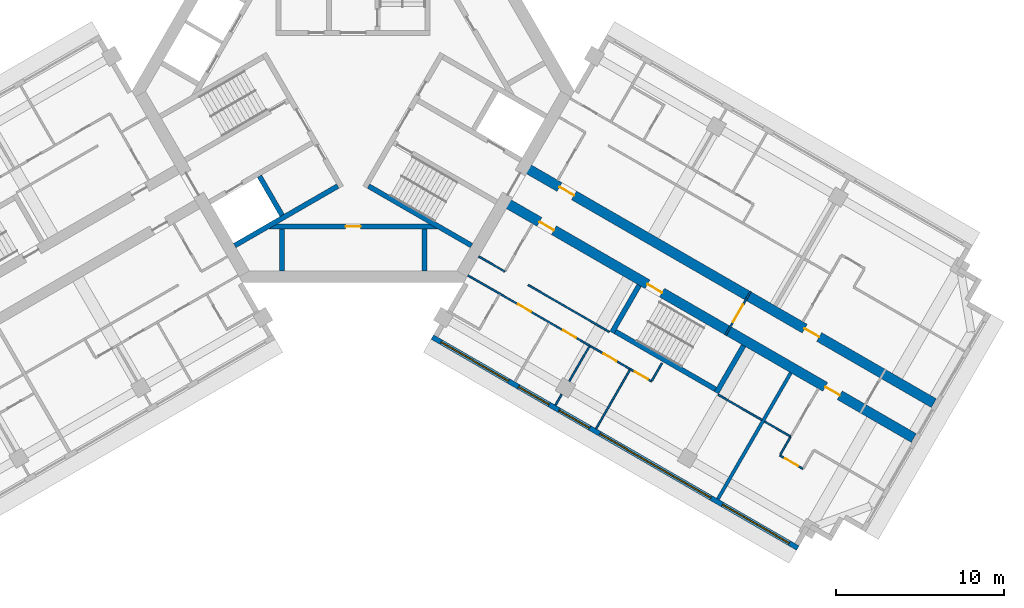
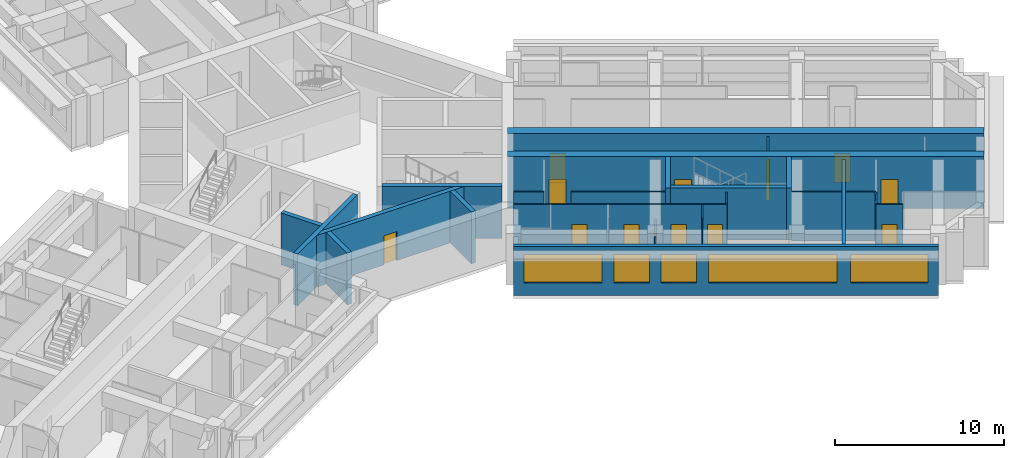
# One storey, part 5 of 11: 25 walls, 12 doors, 5 windows, 17 openings.
"""IFC4 building model written with IfcOpenShell, lengths in metres."""

from ifc_helpers import new_model, si_unit, direction, frame, frame_2d, origin, place, context, subcontext, project, spatial, rectangle, extrude, material, layer, layer_set, type_object, element, fill, save


model = new_model("IFC4")

# Units and contexts
model_context = context("Model", 3, precision=1e-05, world=origin(), true_north=direction((0.0, 1.0)))
body_context = subcontext(model_context, "Body", "Model", "MODEL_VIEW")
ifc_project = project(units=[si_unit("LENGTHUNIT", "METRE"), si_unit("AREAUNIT", "SQUARE_METRE"), si_unit("VOLUMEUNIT", "CUBIC_METRE"), si_unit("PLANEANGLEUNIT", "RADIAN"), si_unit("MASSUNIT", "GRAM", prefix="KILO")], contexts=[model_context])

# Site, building, storey
site_placement = place(None, origin())
site = spatial("IfcSite", under=ifc_project, at=site_placement, CompositionType="ELEMENT")
building_placement = place(site_placement, origin())
building = spatial("IfcBuilding", under=site, at=building_placement, Name="Impinga Residences", CompositionType="ELEMENT")
storey_placement = place(building_placement, frame((0.0, 0.0, 199.75)))
storey = spatial("IfcBuildingStorey", under=building, at=storey_placement, Name="L49", CompositionType="ELEMENT", Elevation=199.75)

# Wall, openings, doors
ifc_material_1 = material(Name="Concrete C60/75", Category="concrete")
ifc_layer_1 = layer(ifc_material_1, 0.60009765625)
ifc_layer_set_1 = layer_set([ifc_layer_1], Name="Concrete C60/75")
wall_type_1 = type_object("IfcWallType", Name="BW3 corridor buttress wall, L46 to L73 600", PredefinedType="SHEAR", material=ifc_layer_set_1)
wall_1_placement = place(storey_placement, frame((10.19677734375, -4.50146484375, 0.0), z_axis=(0.0, 0.0, 1.0), x_axis=(0.866026415941, -0.499998246889, 0.0)))
wall_1 = element("IfcWall", 1, at=wall_1_placement, inside=storey, type_object=wall_type_1, Name="Corridor wall BW3 EC L49", PredefinedType="SHEAR", context=body_context, shape_type="SweptSolid", body=[
    extrude(rectangle(XDim=28.25, YDim=0.60009765625, at=frame_2d((14.125, 0.0))), origin(), (0.0, 0.0, 1.0), 3.75),
])
opening_1_placement = place(wall_1_placement, frame((2.449951171875, 0.0, 0.0)))
opening_1 = element("IfcOpeningElement", 2, at=opening_1_placement, cuts=wall_1, Name="Opening D1", PredefinedType="OPENING", context=body_context, shape_type="SweptSolid", body=[
    extrude(rectangle(XDim=1.0, YDim=2.10009765625, at=frame_2d((0.5, 1.050048828125))), frame((0.0, 0.31005859375, 0.0), z_axis=(0.0, -1.0, 0.0), x_axis=(1.0, 0.0, 0.0)), (0.0, 0.0, 1.0), 0.6201171875),
])
opening_2_placement = place(wall_1_placement, frame((19.35009765625, 0.0, 0.0)))
opening_2 = element("IfcOpeningElement", 3, at=opening_2_placement, cuts=wall_1, Name="Opening D1", PredefinedType="OPENING", context=body_context, shape_type="SweptSolid", body=[
    extrude(rectangle(XDim=1.0, YDim=2.10009765625, at=frame_2d((0.5, 1.050048828125))), frame((0.0, 0.31005859375, 0.0), z_axis=(0.0, -1.0, 0.0), x_axis=(1.0, 0.0, 0.0)), (0.0, 0.0, 1.0), 0.6201171875),
])
ifc_material_2 = material(Name="Timber door set", Category="wood")
door_type_1 = type_object("IfcDoorType", Name="D1 apartment entrance door 1000x2100", OperationType="SINGLE_SWING_LEFT", PredefinedType="DOOR", material=ifc_material_2)
door_1_placement = place(opening_1_placement, origin())
door_1 = element("IfcDoor", 4, at=door_1_placement, inside=storey, type_object=door_type_1, Name="Apartment L49-EA1 entrance", OperationType="SINGLE_SWING_LEFT", OverallHeight=2.10009765625, OverallWidth=1.0, PredefinedType="DOOR", context=body_context, shape_type="SweptSolid", body=[
    extrude(rectangle(XDim=1.0, YDim=2.10009765625, at=frame_2d((0.5, 1.050048828125))), frame((0.0, 0.02490234375, 0.0), z_axis=(0.0, -1.0, 0.0), x_axis=(1.0, 0.0, 0.0)), (0.0, 0.0, 1.0), 0.050048828125),
])
fill(opening_1, door_1)
door_2_placement = place(opening_2_placement, origin())
door_2 = element("IfcDoor", 5, at=door_2_placement, inside=storey, type_object=door_type_1, Name="Apartment L49-EA2 entrance", OperationType="SINGLE_SWING_RIGHT", OverallHeight=2.10009765625, OverallWidth=1.0, PredefinedType="DOOR", context=body_context, shape_type="SweptSolid", body=[
    extrude(rectangle(XDim=1.0, YDim=2.10009765625, at=frame_2d((0.5, 1.050048828125))), frame((0.0, 0.02490234375, 0.0), z_axis=(0.0, -1.0, 0.0), x_axis=(1.0, 0.0, 0.0)), (0.0, 0.0, 1.0), 0.050048828125),
])
fill(opening_2, door_2)

wall_2_placement = place(storey_placement, frame((8.996826171875, -6.580078125, 0.0), z_axis=(0.0, 0.0, 1.0), x_axis=(0.866026415941, -0.499998246889, 0.0)))
wall_2 = element("IfcWall", 6, at=wall_2_placement, inside=storey, type_object=wall_type_1, Name="Corridor wall BW3 ED L49", PredefinedType="SHEAR", context=body_context, shape_type="SweptSolid", body=[
    extrude(rectangle(XDim=28.25, YDim=0.60009765625, at=frame_2d((14.125, 0.0))), origin(), (0.0, 0.0, 1.0), 3.75),
])
opening_3_placement = place(wall_2_placement, frame((9.89990234375, 0.0, 0.0)))
opening_3 = element("IfcOpeningElement", 7, at=opening_3_placement, cuts=wall_2, Name="Opening D5", PredefinedType="OPENING", context=body_context, shape_type="SweptSolid", body=[
    extrude(rectangle(XDim=1.0, YDim=2.10009765625, at=frame_2d((0.5, 1.050048828125))), frame((0.0, 0.31005859375, 0.0), z_axis=(0.0, -1.0, 0.0), x_axis=(1.0, 0.0, 0.0)), (0.0, 0.0, 1.0), 0.6201171875),
])
opening_4_placement = place(wall_2_placement, frame((2.449951171875, 0.0, 0.0)))
opening_4 = element("IfcOpeningElement", 8, at=opening_4_placement, cuts=wall_2, Name="Opening D1", PredefinedType="OPENING", context=body_context, shape_type="SweptSolid", body=[
    extrude(rectangle(XDim=1.0, YDim=2.10009765625, at=frame_2d((0.5, 1.050048828125))), frame((0.0, 0.31005859375, 0.0), z_axis=(0.0, -1.0, 0.0), x_axis=(1.0, 0.0, 0.0)), (0.0, 0.0, 1.0), 0.6201171875),
])
opening_5_placement = place(wall_2_placement, frame((22.14990234375, 0.0, 0.0)))
opening_5 = element("IfcOpeningElement", 9, at=opening_5_placement, cuts=wall_2, Name="Opening D1", PredefinedType="OPENING", context=body_context, shape_type="SweptSolid", body=[
    extrude(rectangle(XDim=1.0, YDim=2.10009765625, at=frame_2d((0.5, 1.050048828125))), frame((0.0, 0.31005859375, 0.0), z_axis=(0.0, -1.0, 0.0), x_axis=(1.0, 0.0, 0.0)), (0.0, 0.0, 1.0), 0.6201171875),
])
door_3_placement = place(opening_4_placement, origin())
door_3 = element("IfcDoor", 10, at=door_3_placement, inside=storey, type_object=door_type_1, Name="Apartment L49-EF1 entrance", OperationType="SINGLE_SWING_LEFT", OverallHeight=2.10009765625, OverallWidth=1.0, PredefinedType="DOOR", context=body_context, shape_type="SweptSolid", body=[
    extrude(rectangle(XDim=1.0, YDim=2.10009765625, at=frame_2d((0.5, 1.050048828125))), frame((0.0, 0.02490234375, 0.0), z_axis=(0.0, -1.0, 0.0), x_axis=(1.0, 0.0, 0.0)), (0.0, 0.0, 1.0), 0.050048828125),
])
fill(opening_4, door_3)
door_4_placement = place(opening_5_placement, origin())
door_4 = element("IfcDoor", 11, at=door_4_placement, inside=storey, type_object=door_type_1, Name="Apartment L49-EF2 entrance", OperationType="SINGLE_SWING_RIGHT", OverallHeight=2.10009765625, OverallWidth=1.0, PredefinedType="DOOR", context=body_context, shape_type="SweptSolid", body=[
    extrude(rectangle(XDim=1.0, YDim=2.10009765625, at=frame_2d((0.5, 1.050048828125))), frame((0.0, 0.02490234375, 0.0), z_axis=(0.0, -1.0, 0.0), x_axis=(1.0, 0.0, 0.0)), (0.0, 0.0, 1.0), 0.050048828125),
])
fill(opening_5, door_4)
door_type_2 = type_object("IfcDoorType", Name="D5 stair door 1000x2100", OperationType="SINGLE_SWING_LEFT", PredefinedType="DOOR", material=ifc_material_2)
door_5_placement = place(opening_3_placement, origin())
door_5 = element("IfcDoor", 12, at=door_5_placement, inside=storey, type_object=door_type_2, Name="Wing stair door E", OperationType="SINGLE_SWING_LEFT", OverallHeight=2.10009765625, OverallWidth=1.0, PredefinedType="DOOR", context=body_context, shape_type="SweptSolid", body=[
    extrude(rectangle(XDim=1.0, YDim=2.10009765625, at=frame_2d((0.5, 1.050048828125))), frame((0.0, 0.02490234375, 0.0), z_axis=(0.0, -1.0, 0.0), x_axis=(1.0, 0.0, 0.0)), (0.0, 0.0, 1.0), 0.050048828125),
])
fill(opening_3, door_5)

# Wall, opening, door
ifc_material_3 = material(Name="Concrete blockwork", Category="masonry")
ifc_layer_2 = layer(ifc_material_3, 0.10009765625)
ifc_layer_set_2 = layer_set([ifc_layer_2], Name="CP1 core room partition, blockwork 100")
wall_type_2 = type_object("IfcWallType", Name="CP1 core room partition, blockwork 100", PredefinedType="PARTITIONING", material=ifc_layer_set_2)
wall_3_placement = place(storey_placement, frame((23.724853515625, -11.965576171875, 0.0), z_axis=(0.0, 0.0, 1.0), x_axis=(-0.50002537861, -0.866010750942, 0.0)))
wall_3 = element("IfcWall", 13, at=wall_3_placement, inside=storey, type_object=wall_type_2, Name="Core room partition, blockwork L49:E:SCR", PredefinedType="PARTITIONING", context=body_context, shape_type="SweptSolid", body=[
    extrude(rectangle(XDim=2.999755859375, YDim=0.10009765625, at=frame_2d((1.5, 0.0))), origin(), (0.0, 0.0, 1.0), 3.530029296875),
])
opening_6_placement = place(wall_3_placement, frame((0.89990234375, 0.0, 0.0)))
opening_6 = element("IfcOpeningElement", 14, at=opening_6_placement, cuts=wall_3, Name="Opening D3", PredefinedType="OPENING", context=body_context, shape_type="SweptSolid", body=[
    extrude(rectangle(XDim=1.199951171875, YDim=2.10009765625, at=frame_2d((0.60009765625, 1.050048828125))), frame((0.0, 0.06005859375, 0.0), z_axis=(0.0, -1.0, 0.0), x_axis=(1.0, 0.0, 0.0)), (0.0, 0.0, 1.0), 0.1201171875),
])
door_type_3 = type_object("IfcDoorType", Name="D3 room door, leaf and a half 1200x2100", OperationType="DOUBLE_SWING_LEFT", PredefinedType="DOOR", material=ifc_material_2)
door_6_placement = place(opening_6_placement, origin())
door_6 = element("IfcDoor", 15, at=door_6_placement, inside=storey, type_object=door_type_3, Name="Corridor smoke door E", OperationType="DOUBLE_SWING_LEFT", OverallHeight=2.10009765625, OverallWidth=1.199951171875, PredefinedType="DOOR", context=body_context, shape_type="SweptSolid", body=[
    extrude(rectangle(XDim=1.199951171875, YDim=2.10009765625, at=frame_2d((0.60009765625, 1.050048828125))), frame((0.0, 0.02490234375, 0.0), z_axis=(0.0, -1.0, 0.0), x_axis=(1.0, 0.0, 0.0)), (0.0, 0.0, 1.0), 0.050048828125),
])
fill(opening_6, door_6)

# Wall, openings, windows
ifc_material_4 = material(Name="Terracotta rainscreen on blockwork", Category="masonry")
ifc_layer_3 = layer(ifc_material_4, 0.300048828125)
ifc_layer_set_3 = layer_set([ifc_layer_3], Name="EW1 external wall, terracotta rainscreen on blockwork 300")
wall_type_3 = type_object("IfcWallType", Name="EW1 external wall, terracotta rainscreen on blockwork 300", PredefinedType="SOLIDWALL", material=ifc_layer_set_3)
wall_4_placement = place(storey_placement, frame((26.548828125, -27.279052734375, 0.0), z_axis=(0.0, 0.0, 1.0), x_axis=(-0.866026832479, 0.499997525421, 0.0)))
wall_4 = element("IfcWall", 16, at=wall_4_placement, inside=storey, type_object=wall_type_3, Name="External wall EW1 L49", PredefinedType="SOLIDWALL", context=body_context, shape_type="SweptSolid", body=[
    extrude(rectangle(XDim=25.199951171875, YDim=0.300048828125, at=frame_2d((12.60009765625, 0.0))), origin(), (0.0, 0.0, 1.0), 3.530029296875),
])
opening_7_placement = place(wall_4_placement, frame((0.60009765625, 0.0, 0.89990234375)))
opening_7 = element("IfcOpeningElement", 17, at=opening_7_placement, cuts=wall_4, Name="Opening W3", PredefinedType="OPENING", context=body_context, shape_type="SweptSolid", body=[
    extrude(rectangle(XDim=4.60009765625, YDim=2.050048828125, at=frame_2d((2.300048828125, 1.02490234375))), frame((0.0, 0.159912109375, 0.0), z_axis=(0.0, -1.0, 0.0), x_axis=(1.0, 0.0, 0.0)), (0.0, 0.0, 1.0), 0.320068359375),
])
opening_8_placement = place(wall_4_placement, frame((6.0, 0.0, 0.89990234375)))
opening_8 = element("IfcOpeningElement", 18, at=opening_8_placement, cuts=wall_4, Name="Opening W13", PredefinedType="OPENING", context=body_context, shape_type="SweptSolid", body=[
    extrude(rectangle(XDim=7.64990234375, YDim=2.050048828125, at=frame_2d((3.824951171875, 1.02490234375))), frame((0.0, 0.159912109375, 0.0), z_axis=(0.0, -1.0, 0.0), x_axis=(1.0, 0.0, 0.0)), (0.0, 0.0, 1.0), 0.320068359375),
])
opening_9_placement = place(wall_4_placement, frame((14.35009765625, 0.0, 0.89990234375)))
opening_9 = element("IfcOpeningElement", 19, at=opening_9_placement, cuts=wall_4, Name="Opening W9", PredefinedType="OPENING", context=body_context, shape_type="SweptSolid", body=[
    extrude(rectangle(XDim=2.10009765625, YDim=2.050048828125, at=frame_2d((1.050048828125, 1.02490234375))), frame((0.0, 0.159912109375, 0.0), z_axis=(0.0, -1.0, 0.0), x_axis=(1.0, 0.0, 0.0)), (0.0, 0.0, 1.0), 0.320068359375),
])
opening_10_placement = place(wall_4_placement, frame((17.14990234375, 0.0, 0.89990234375)))
opening_10 = element("IfcOpeningElement", 20, at=opening_10_placement, cuts=wall_4, Name="Opening W9", PredefinedType="OPENING", context=body_context, shape_type="SweptSolid", body=[
    extrude(rectangle(XDim=2.10009765625, YDim=2.050048828125, at=frame_2d((1.050048828125, 1.02490234375))), frame((0.0, 0.159912109375, 0.0), z_axis=(0.0, -1.0, 0.0), x_axis=(1.0, 0.0, 0.0)), (0.0, 0.0, 1.0), 0.320068359375),
])
opening_11_placement = place(wall_4_placement, frame((19.949951171875, 0.0, 0.89990234375)))
opening_11 = element("IfcOpeningElement", 21, at=opening_11_placement, cuts=wall_4, Name="Opening W10", PredefinedType="OPENING", context=body_context, shape_type="SweptSolid", body=[
    extrude(rectangle(XDim=4.64990234375, YDim=2.050048828125, at=frame_2d((2.324951171875, 1.02490234375))), frame((0.0, 0.159912109375, 0.0), z_axis=(0.0, -1.0, 0.0), x_axis=(1.0, 0.0, 0.0)), (0.0, 0.0, 1.0), 0.320068359375),
])
ifc_material_5 = material(Name="Aluminium window, clear double glazing", Category="aluminium")
window_type_1 = type_object("IfcWindowType", Name="W10 ribbon window 4650x2050", PartitioningType="SINGLE_PANEL", PredefinedType="WINDOW", material=ifc_material_5)
window_1_placement = place(opening_11_placement, origin())
window_1 = element("IfcWindow", 22, at=window_1_placement, inside=storey, type_object=window_type_1, Name="Window L49", OverallHeight=2.050048828125, OverallWidth=4.64990234375, PartitioningType="SINGLE_PANEL", PredefinedType="WINDOW", context=body_context, shape_type="SweptSolid", body=[
    extrude(rectangle(XDim=4.64990234375, YDim=2.050048828125, at=frame_2d((2.324951171875, 1.02490234375))), frame((0.0, 0.030029296875, 0.0), z_axis=(0.0, -1.0, 0.0), x_axis=(1.0, 0.0, 0.0)), (0.0, 0.0, 1.0), 0.06005859375),
])
fill(opening_11, window_1)
window_type_2 = type_object("IfcWindowType", Name="W13 ribbon window 7650x2050", PartitioningType="SINGLE_PANEL", PredefinedType="WINDOW", material=ifc_material_5)
window_2_placement = place(opening_8_placement, origin())
window_2 = element("IfcWindow", 23, at=window_2_placement, inside=storey, type_object=window_type_2, Name="Window L49", OverallHeight=2.050048828125, OverallWidth=7.64990234375, PartitioningType="SINGLE_PANEL", PredefinedType="WINDOW", context=body_context, shape_type="SweptSolid", body=[
    extrude(rectangle(XDim=7.64990234375, YDim=2.050048828125, at=frame_2d((3.824951171875, 1.02490234375))), frame((0.0, 0.030029296875, 0.0), z_axis=(0.0, -1.0, 0.0), x_axis=(1.0, 0.0, 0.0)), (0.0, 0.0, 1.0), 0.06005859375),
])
fill(opening_8, window_2)
window_type_3 = type_object("IfcWindowType", Name="W3 ribbon window 4600x2050", PartitioningType="SINGLE_PANEL", PredefinedType="WINDOW", material=ifc_material_5)
window_3_placement = place(opening_7_placement, origin())
window_3 = element("IfcWindow", 24, at=window_3_placement, inside=storey, type_object=window_type_3, Name="Window L49", OverallHeight=2.050048828125, OverallWidth=4.60009765625, PartitioningType="SINGLE_PANEL", PredefinedType="WINDOW", context=body_context, shape_type="SweptSolid", body=[
    extrude(rectangle(XDim=4.60009765625, YDim=2.050048828125, at=frame_2d((2.300048828125, 1.02490234375))), frame((0.0, 0.030029296875, 0.0), z_axis=(0.0, -1.0, 0.0), x_axis=(1.0, 0.0, 0.0)), (0.0, 0.0, 1.0), 0.06005859375),
])
fill(opening_7, window_3)
window_type_4 = type_object("IfcWindowType", Name="W9 ribbon window 2100x2050", PartitioningType="SINGLE_PANEL", PredefinedType="WINDOW", material=ifc_material_5)
window_4_placement = place(opening_9_placement, origin())
window_4 = element("IfcWindow", 25, at=window_4_placement, inside=storey, type_object=window_type_4, Name="Window L49", OverallHeight=2.050048828125, OverallWidth=2.10009765625, PartitioningType="SINGLE_PANEL", PredefinedType="WINDOW", context=body_context, shape_type="SweptSolid", body=[
    extrude(rectangle(XDim=2.10009765625, YDim=2.050048828125, at=frame_2d((1.050048828125, 1.02490234375))), frame((0.0, 0.030029296875, 0.0), z_axis=(0.0, -1.0, 0.0), x_axis=(1.0, 0.0, 0.0)), (0.0, 0.0, 1.0), 0.06005859375),
])
fill(opening_9, window_4)
window_5_placement = place(opening_10_placement, origin())
window_5 = element("IfcWindow", 26, at=window_5_placement, inside=storey, type_object=window_type_4, Name="Window L49", OverallHeight=2.050048828125, OverallWidth=2.10009765625, PartitioningType="SINGLE_PANEL", PredefinedType="WINDOW", context=body_context, shape_type="SweptSolid", body=[
    extrude(rectangle(XDim=2.10009765625, YDim=2.050048828125, at=frame_2d((1.050048828125, 1.02490234375))), frame((0.0, 0.030029296875, 0.0), z_axis=(0.0, -1.0, 0.0), x_axis=(1.0, 0.0, 0.0)), (0.0, 0.0, 1.0), 0.06005859375),
])
fill(opening_10, window_5)

# Walls
ifc_material_6 = material(Name="Gypsum board on steel studs", Category="steel")
ifc_layer_4 = layer(ifc_material_6, 0.10009765625)
ifc_layer_set_4 = layer_set([ifc_layer_4], Name="Gypsum board on steel studs")
wall_type_4 = type_object("IfcWallType", Name="IP1 partition 100", PredefinedType="PARTITIONING", material=ifc_layer_set_4)
wall_5_placement = place(storey_placement, frame((7.5, -9.872802734375, 0.0), z_axis=(0.0, 0.0, 1.0), x_axis=(0.866047807691, -0.499961193289, 0.0)))
element("IfcWall", 27, at=wall_5_placement, inside=storey, type_object=wall_type_4, Name="Partition L49-EF1:DIV0", PredefinedType="PARTITIONING", context=body_context, shape_type="SweptSolid", body=[
    extrude(rectangle(XDim=1.800048828125, YDim=0.10009765625, at=frame_2d((0.89990234375, 0.0))), origin(), (0.0, 0.0, 1.0), 3.530029296875),
])
wall_6_placement = place(storey_placement, frame((10.444580078125, -11.57275390625, 0.0), z_axis=(0.0, 0.0, 1.0), x_axis=(0.866015695474, -0.500016814911, 0.0)))
element("IfcWall", 28, at=wall_6_placement, inside=storey, type_object=wall_type_4, Name="Partition L49-EF1:DIV1", PredefinedType="PARTITIONING", context=body_context, shape_type="SweptSolid", body=[
    extrude(rectangle(XDim=5.599853515625, YDim=0.10009765625, at=frame_2d((2.7998046875, 0.0))), origin(), (0.0, 0.0, 1.0), 3.530029296875),
])
wall_7_placement = place(storey_placement, frame((21.789306640625, -18.122802734375, 0.0), z_axis=(0.0, 0.0, 1.0), x_axis=(0.866031096941, -0.499990139034, 0.0)))
element("IfcWall", 29, at=wall_7_placement, inside=storey, type_object=wall_type_4, Name="Partition L49-EF1:DIV2", PredefinedType="PARTITIONING", context=body_context, shape_type="SweptSolid", body=[
    extrude(rectangle(XDim=3.0, YDim=0.10009765625, at=frame_2d((1.5, 0.0))), origin(), (0.0, 0.0, 1.0), 3.530029296875),
])

# Wall, openings, doors
wall_8_placement = place(storey_placement, frame((6.85009765625, -10.99853515625, 0.0), z_axis=(0.0, 0.0, 1.0), x_axis=(0.866024244478, -0.500002007972, 0.0)))
wall_8 = element("IfcWall", 30, at=wall_8_placement, inside=storey, type_object=wall_type_4, Name="Partition L49-EF1:STRIP", PredefinedType="PARTITIONING", context=body_context, shape_type="SweptSolid", body=[
    extrude(rectangle(XDim=12.64990234375, YDim=0.10009765625, at=frame_2d((6.324951171875, 0.0))), origin(), (0.0, 0.0, 1.0), 3.530029296875),
])
opening_12_placement = place(wall_8_placement, frame((3.449951171875, 0.0, 0.0)))
opening_12 = element("IfcOpeningElement", 31, at=opening_12_placement, cuts=wall_8, Name="Opening D2", PredefinedType="OPENING", context=body_context, shape_type="SweptSolid", body=[
    extrude(rectangle(XDim=0.89990234375, YDim=2.10009765625, at=frame_2d((0.449951171875, 1.050048828125))), frame((0.0, 0.06005859375, 0.0), z_axis=(0.0, -1.0, 0.0), x_axis=(1.0, 0.0, 0.0)), (0.0, 0.0, 1.0), 0.1201171875),
])
opening_13_placement = place(wall_8_placement, frame((6.550048828125, 0.0, 0.0)))
opening_13 = element("IfcOpeningElement", 32, at=opening_13_placement, cuts=wall_8, Name="Opening D2", PredefinedType="OPENING", context=body_context, shape_type="SweptSolid", body=[
    extrude(rectangle(XDim=0.89990234375, YDim=2.10009765625, at=frame_2d((0.449951171875, 1.050048828125))), frame((0.0, 0.06005859375, 0.0), z_axis=(0.0, -1.0, 0.0), x_axis=(1.0, 0.0, 0.0)), (0.0, 0.0, 1.0), 0.1201171875),
])
opening_14_placement = place(wall_8_placement, frame((9.35009765625, 0.0, 0.0)))
opening_14 = element("IfcOpeningElement", 33, at=opening_14_placement, cuts=wall_8, Name="Opening D2", PredefinedType="OPENING", context=body_context, shape_type="SweptSolid", body=[
    extrude(rectangle(XDim=0.89990234375, YDim=2.10009765625, at=frame_2d((0.449951171875, 1.050048828125))), frame((0.0, 0.06005859375, 0.0), z_axis=(0.0, -1.0, 0.0), x_axis=(1.0, 0.0, 0.0)), (0.0, 0.0, 1.0), 0.1201171875),
])
opening_15_placement = place(wall_8_placement, frame((11.5, 0.0, 0.0)))
opening_15 = element("IfcOpeningElement", 34, at=opening_15_placement, cuts=wall_8, Name="Opening D2", PredefinedType="OPENING", context=body_context, shape_type="SweptSolid", body=[
    extrude(rectangle(XDim=0.89990234375, YDim=2.10009765625, at=frame_2d((0.449951171875, 1.050048828125))), frame((0.0, 0.06005859375, 0.0), z_axis=(0.0, -1.0, 0.0), x_axis=(1.0, 0.0, 0.0)), (0.0, 0.0, 1.0), 0.1201171875),
])
door_type_4 = type_object("IfcDoorType", Name="D2 internal door 900x2100", OperationType="SINGLE_SWING_LEFT", PredefinedType="DOOR", material=ifc_material_2)
door_7_placement = place(opening_12_placement, origin())
door_7 = element("IfcDoor", 35, at=door_7_placement, inside=storey, type_object=door_type_4, Name="Apartment L49-EF1 room door", OperationType="SINGLE_SWING_LEFT", OverallHeight=2.10009765625, OverallWidth=0.89990234375, PredefinedType="DOOR", context=body_context, shape_type="SweptSolid", body=[
    extrude(rectangle(XDim=0.89990234375, YDim=2.10009765625, at=frame_2d((0.449951171875, 1.050048828125))), frame((0.0, 0.02490234375, 0.0), z_axis=(0.0, -1.0, 0.0), x_axis=(1.0, 0.0, 0.0)), (0.0, 0.0, 1.0), 0.050048828125),
])
fill(opening_12, door_7)
door_8_placement = place(opening_13_placement, origin())
door_8 = element("IfcDoor", 36, at=door_8_placement, inside=storey, type_object=door_type_4, Name="Apartment L49-EF1 room door", OperationType="SINGLE_SWING_RIGHT", OverallHeight=2.10009765625, OverallWidth=0.89990234375, PredefinedType="DOOR", context=body_context, shape_type="SweptSolid", body=[
    extrude(rectangle(XDim=0.89990234375, YDim=2.10009765625, at=frame_2d((0.449951171875, 1.050048828125))), frame((0.0, 0.02490234375, 0.0), z_axis=(0.0, -1.0, 0.0), x_axis=(1.0, 0.0, 0.0)), (0.0, 0.0, 1.0), 0.050048828125),
])
fill(opening_13, door_8)
door_9_placement = place(opening_14_placement, origin())
door_9 = element("IfcDoor", 37, at=door_9_placement, inside=storey, type_object=door_type_4, Name="Apartment L49-EF1 room door", OperationType="SINGLE_SWING_RIGHT", OverallHeight=2.10009765625, OverallWidth=0.89990234375, PredefinedType="DOOR", context=body_context, shape_type="SweptSolid", body=[
    extrude(rectangle(XDim=0.89990234375, YDim=2.10009765625, at=frame_2d((0.449951171875, 1.050048828125))), frame((0.0, 0.02490234375, 0.0), z_axis=(0.0, -1.0, 0.0), x_axis=(1.0, 0.0, 0.0)), (0.0, 0.0, 1.0), 0.050048828125),
])
fill(opening_14, door_9)
door_10_placement = place(opening_15_placement, origin())
door_10 = element("IfcDoor", 38, at=door_10_placement, inside=storey, type_object=door_type_4, Name="Apartment L49-EF1 room door", OperationType="SINGLE_SWING_RIGHT", OverallHeight=2.10009765625, OverallWidth=0.89990234375, PredefinedType="DOOR", context=body_context, shape_type="SweptSolid", body=[
    extrude(rectangle(XDim=0.89990234375, YDim=2.10009765625, at=frame_2d((0.449951171875, 1.050048828125))), frame((0.0, 0.02490234375, 0.0), z_axis=(0.0, -1.0, 0.0), x_axis=(1.0, 0.0, 0.0)), (0.0, 0.0, 1.0), 0.050048828125),
])
fill(opening_15, door_10)

# Walls
wall_9_placement = place(storey_placement, frame((18.43017578125, -16.240966796875, 0.0), z_axis=(0.0, 0.0, 1.0), x_axis=(-0.499880961361, -0.866094119867, 0.0)))
element("IfcWall", 39, at=wall_9_placement, inside=storey, type_object=wall_type_4, Name="Partition L49-EF1:SE1", PredefinedType="PARTITIONING", context=body_context, shape_type="SweptSolid", body=[
    extrude(rectangle(XDim=1.199951171875, YDim=0.10009765625, at=frame_2d((0.60009765625, 0.0))), origin(), (0.0, 0.0, 1.0), 3.530029296875),
])
wall_10_placement = place(storey_placement, frame((14.099609375, -15.241943359375, 0.0), z_axis=(0.0, 0.0, 1.0), x_axis=(-0.500001309137, -0.866024647952, 0.0)))
element("IfcWall", 40, at=wall_10_placement, inside=storey, type_object=wall_type_4, Name="Partition L49-EF1:OB2", PredefinedType="PARTITIONING", context=body_context, shape_type="SweptSolid", body=[
    extrude(rectangle(XDim=2.39990234375, YDim=0.10009765625, at=frame_2d((1.199951171875, 0.0))), origin(), (0.0, 0.0, 1.0), 2.47998046875),
])
wall_11_placement = place(storey_placement, frame((12.44970703125, -18.099609375, 0.0), z_axis=(0.0, 0.0, 1.0), x_axis=(-0.499919672301, -0.866071776036, 0.0)))
element("IfcWall", 41, at=wall_11_placement, inside=storey, type_object=wall_type_4, Name="Partition L49-EF1:OB2b", PredefinedType="PARTITIONING", context=body_context, shape_type="SweptSolid", body=[
    extrude(rectangle(XDim=0.75, YDim=0.10009765625, at=frame_2d((0.375, 0.0))), origin(), (0.0, 0.0, 1.0), 3.530029296875),
])
wall_12_placement = place(storey_placement, frame((16.5244140625, -16.641845703125, 0.0), z_axis=(0.0, 0.0, 1.0), x_axis=(-0.499990325971, -0.866030989016, 0.0)))
element("IfcWall", 42, at=wall_12_placement, inside=storey, type_object=wall_type_4, Name="Partition L49-EF1:OB3", PredefinedType="PARTITIONING", context=body_context, shape_type="SweptSolid", body=[
    extrude(rectangle(XDim=4.0498046875, YDim=0.10009765625, at=frame_2d((2.02490234375, 0.0))), origin(), (0.0, 0.0, 1.0), 3.530029296875),
])
wall_13_placement = place(storey_placement, frame((24.560791015625, -19.72265625, 0.0), z_axis=(0.0, 0.0, 1.0), x_axis=(0.865989075817, -0.500062916607, 0.0)))
element("IfcWall", 43, at=wall_13_placement, inside=storey, type_object=wall_type_4, Name="Partition L49-EF2:DIV0", PredefinedType="PARTITIONING", context=body_context, shape_type="SweptSolid", body=[
    extrude(rectangle(XDim=1.800048828125, YDim=0.10009765625, at=frame_2d((0.89990234375, 0.0))), origin(), (0.0, 0.0, 1.0), 3.530029296875),
])

# Wall, opening, door
wall_14_placement = place(storey_placement, frame((25.469482421875, -21.74853515625, 0.0), z_axis=(0.0, 0.0, 1.0), x_axis=(0.866028054938, -0.499995408039, 0.0)))
wall_14 = element("IfcWall", 44, at=wall_14_placement, inside=storey, type_object=wall_type_4, Name="Partition L49-EF2:STRIP", PredefinedType="PARTITIONING", context=body_context, shape_type="SweptSolid", body=[
    extrude(rectangle(XDim=1.60009765625, YDim=0.10009765625, at=frame_2d((0.800048828125, 0.0))), origin(), (0.0, 0.0, 1.0), 3.530029296875),
])
opening_16_placement = place(wall_14_placement, frame((0.35009765625, 0.0, 0.0)))
opening_16 = element("IfcOpeningElement", 45, at=opening_16_placement, cuts=wall_14, Name="Opening D2", PredefinedType="OPENING", context=body_context, shape_type="SweptSolid", body=[
    extrude(rectangle(XDim=0.89990234375, YDim=2.10009765625, at=frame_2d((0.449951171875, 1.050048828125))), frame((0.0, 0.06005859375, 0.0), z_axis=(0.0, -1.0, 0.0), x_axis=(1.0, 0.0, 0.0)), (0.0, 0.0, 1.0), 0.1201171875),
])
door_11_placement = place(opening_16_placement, origin())
door_11 = element("IfcDoor", 46, at=door_11_placement, inside=storey, type_object=door_type_4, Name="Apartment L49-EF2 room door", OperationType="SINGLE_SWING_LEFT", OverallHeight=2.10009765625, OverallWidth=0.89990234375, PredefinedType="DOOR", context=body_context, shape_type="SweptSolid", body=[
    extrude(rectangle(XDim=0.89990234375, YDim=2.10009765625, at=frame_2d((0.449951171875, 1.050048828125))), frame((0.0, 0.02490234375, 0.0), z_axis=(0.0, -1.0, 0.0), x_axis=(1.0, 0.0, 0.0)), (0.0, 0.0, 1.0), 0.050048828125),
])
fill(opening_16, door_11)

# Walls
wall_15_placement = place(storey_placement, frame((26.094482421875, -20.666015625, 0.0), z_axis=(0.0, 0.0, 1.0), x_axis=(-0.499880961361, -0.866094119867, 0.0)))
element("IfcWall", 47, at=wall_15_placement, inside=storey, type_object=wall_type_4, Name="Partition L49-EF2:SE0", PredefinedType="PARTITIONING", context=body_context, shape_type="SweptSolid", body=[
    extrude(rectangle(XDim=1.199951171875, YDim=0.10009765625, at=frame_2d((0.60009765625, 0.0))), origin(), (0.0, 0.0, 1.0), 3.530029296875),
])
ifc_layer_5 = layer(ifc_material_3, 0.199951171875)
ifc_layer_set_5 = layer_set([ifc_layer_5], Name="PW1 party wall between apartments 200")
wall_type_5 = type_object("IfcWallType", Name="PW1 party wall between apartments 200", PredefinedType="SOLIDWALL", material=ifc_layer_set_5)
wall_16_placement = place(storey_placement, frame((26.1240234375, -16.814697265625, 0.0), z_axis=(0.0, 0.0, 1.0), x_axis=(-0.499987231761, -0.866032775405, 0.0)))
element("IfcWall", 48, at=wall_16_placement, inside=storey, type_object=wall_type_5, Name="Party wall between apartments L49-EF1:PARTY", PredefinedType="SOLIDWALL", context=body_context, shape_type="SweptSolid", body=[
    extrude(rectangle(XDim=8.699951171875, YDim=0.199951171875, at=frame_2d((4.35009765625, 0.0))), origin(), (0.0, 0.0, 1.0), 3.530029296875),
])
ifc_layer_6 = layer(ifc_material_1, 0.300048828125)
ifc_layer_set_6 = layer_set([ifc_layer_6], Name="Concrete C60/75")
wall_type_6 = type_object("IfcWallType", Name="SE1 wing stair enclosure wall 300", PredefinedType="SOLIDWALL", material=ifc_layer_set_6)
for number, where, z_axis, x_axis, name in (
    (49, (17.07421875, -11.58984375, 0.0), (0.0, 0.0, 1.0), (-0.500017246033, -0.866015446554, 0.0), "Stair enclosure wall SE1 E END0 L49"),
    (50, (23.3095703125, -15.189697265625, 0.0), (0.0, 0.0, 1.0), (-0.499984717929, -0.866034226713, 0.0), "Stair enclosure wall SE1 E END1 L49"),
):
    element("IfcWall", number, at=place(storey_placement, frame(where, z_axis=z_axis, x_axis=x_axis)), inside=storey, type_object=wall_type_6, Name=name, PredefinedType="SOLIDWALL", context=body_context, shape_type="SweptSolid", body=[
        extrude(rectangle(XDim=3.25, YDim=0.300048828125, at=frame_2d((1.625, 0.0))), origin(), (0.0, 0.0, 1.0), 3.75),
    ])
wall_17_placement = place(storey_placement, frame((15.654052734375, -14.349365234375, 0.0), z_axis=(0.0, 0.0, 1.0), x_axis=(0.866013532718, -0.500020560727, 0.0)))
element("IfcWall", 51, at=wall_17_placement, inside=storey, type_object=wall_type_6, Name="Stair enclosure wall SE1 E OUT L49", PredefinedType="SOLIDWALL", context=body_context, shape_type="SweptSolid", body=[
    extrude(rectangle(XDim=6.900146484375, YDim=0.300048828125, at=frame_2d((3.4501953125, 0.0))), origin(), (0.0, 0.0, 1.0), 3.75),
])
ifc_material_7 = material(Name="Concrete C70/85", Category="concrete")
ifc_layer_7 = layer(ifc_material_7, 0.300048828125)
ifc_layer_set_7 = layer_set([ifc_layer_7], Name="Concrete C70/85")
wall_type_7 = type_object("IfcWallType", Name="SW5 core inner wall, stairs, shafts and lobbies 300", PredefinedType="SHEAR", material=ifc_layer_set_7)
wall_18_placement = place(storey_placement, frame((-0.918701171875, -5.668701171875, 0.0), z_axis=(0.0, 0.0, 1.0), x_axis=(-0.866025859768, -0.499999210213, 0.0)))
element("IfcWall", 52, at=wall_18_placement, inside=storey, type_object=wall_type_7, Name="Core wall SW5 W:FF-OUT L49", PredefinedType="SHEAR", context=body_context, shape_type="SweptSolid", body=[
    extrude(rectangle(XDim=7.1015625, YDim=0.300048828125, at=frame_2d((3.55078125, 0.0))), origin(), (0.0, 0.0, 1.0), 3.75),
])
wall_19_placement = place(storey_placement, frame((-4.2412109375, -7.413818359375, 0.0), z_axis=(0.0, 0.0, 1.0), x_axis=(-0.500048589285, 0.86599734893, 0.0)))
element("IfcWall", 53, at=wall_19_placement, inside=storey, type_object=wall_type_7, Name="Core wall SW5 W:FF-RS L49", PredefinedType="SHEAR", context=body_context, shape_type="SweptSolid", body=[
    extrude(rectangle(XDim=2.699951171875, YDim=0.300048828125, at=frame_2d((1.35009765625, 0.0))), origin(), (0.0, 0.0, 1.0), 3.75),
])
wall_20_placement = place(storey_placement, frame((0.918701171875, -5.668701171875, 0.0), z_axis=(0.0, 0.0, 1.0), x_axis=(0.866025859768, -0.499999210213, 0.0)))
element("IfcWall", 54, at=wall_20_placement, inside=storey, type_object=wall_type_7, Name="Core wall SW5 E:ST-OUT L49", PredefinedType="SHEAR", context=body_context, shape_type="SweptSolid", body=[
    extrude(rectangle(XDim=7.1015625, YDim=0.300048828125, at=frame_2d((3.55078125, 0.0))), origin(), (0.0, 0.0, 1.0), 3.75),
])

# Wall, opening, door
wall_21_placement = place(storey_placement, frame((5.09765625, -8.08154296875, 0.0), z_axis=(0.0, 0.0, 1.0), x_axis=(-1.0, 0.0, 0.0)))
wall_21 = element("IfcWall", 55, at=wall_21_placement, inside=storey, type_object=wall_type_7, Name="Core wall SW5 N:BANK-FRONT L49", PredefinedType="SHEAR", context=body_context, shape_type="SweptSolid", body=[
    extrude(rectangle(XDim=10.1953125, YDim=0.300048828125, at=frame_2d((5.09765625, 0.0))), origin(), (0.0, 0.0, 1.0), 3.75),
])
opening_17_placement = place(wall_21_placement, frame((4.647705078125, 0.0, 0.0)))
opening_17 = element("IfcOpeningElement", 56, at=opening_17_placement, cuts=wall_21, Name="Opening D6", PredefinedType="OPENING", context=body_context, shape_type="SweptSolid", body=[
    extrude(rectangle(XDim=0.89990234375, YDim=2.10009765625, at=frame_2d((0.449951171875, 1.050048828125))), frame((0.0, 0.159912109375, 0.0), z_axis=(0.0, -1.0, 0.0), x_axis=(1.0, 0.0, 0.0)), (0.0, 0.0, 1.0), 0.320068359375),
])
door_type_5 = type_object("IfcDoorType", Name="D6 riser and store door 900x2100", OperationType="SINGLE_SWING_LEFT", PredefinedType="DOOR", material=ifc_material_2)
door_12_placement = place(opening_17_placement, origin())
door_12 = element("IfcDoor", 57, at=door_12_placement, inside=storey, type_object=door_type_5, Name="IT and communications room door", OperationType="SINGLE_SWING_LEFT", OverallHeight=2.10009765625, OverallWidth=0.89990234375, PredefinedType="DOOR", context=body_context, shape_type="SweptSolid", body=[
    extrude(rectangle(XDim=0.89990234375, YDim=2.10009765625, at=frame_2d((0.449951171875, 1.050048828125))), frame((0.0, 0.02490234375, 0.0), z_axis=(0.0, -1.0, 0.0), x_axis=(1.0, 0.0, 0.0)), (0.0, 0.0, 1.0), 0.050048828125),
])
fill(opening_17, door_12)

# Walls
for number, where, z_axis, x_axis, name in (
    (58, (4.25, -8.2314453125, 0.0), (0.0, 0.0, 1.0), (0.0, -1.0, 0.0), "Core wall SW5 N:BANK-L L49"),
    (59, (-4.25, -8.2314453125, 0.0), (0.0, 0.0, 1.0), (0.0, -1.0, 0.0), "Core wall SW5 N:BANK-R L49"),
):
    element("IfcWall", number, at=place(storey_placement, frame(where, z_axis=z_axis, x_axis=x_axis)), inside=storey, type_object=wall_type_7, Name=name, PredefinedType="SHEAR", context=body_context, shape_type="SweptSolid", body=[
        extrude(rectangle(XDim=2.5, YDim=0.300048828125, at=frame_2d((1.25, 0.0))), origin(), (0.0, 0.0, 1.0), 3.75),
    ])

save(model, "model.ifc")
